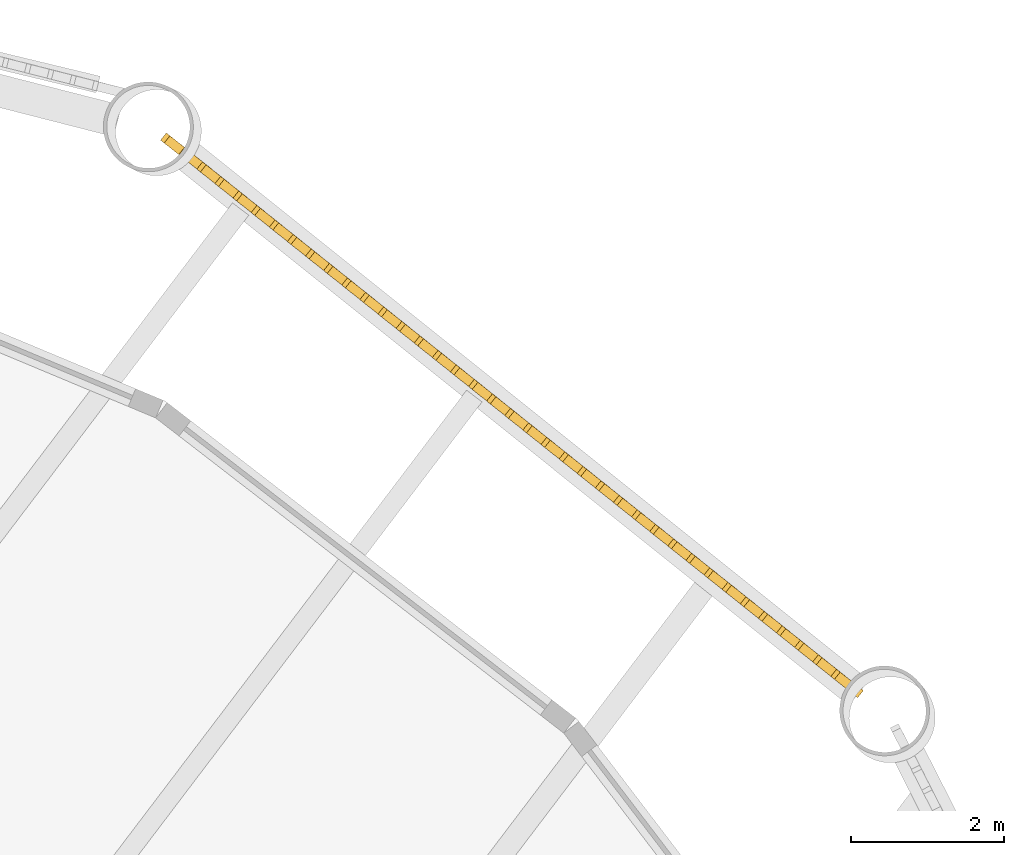
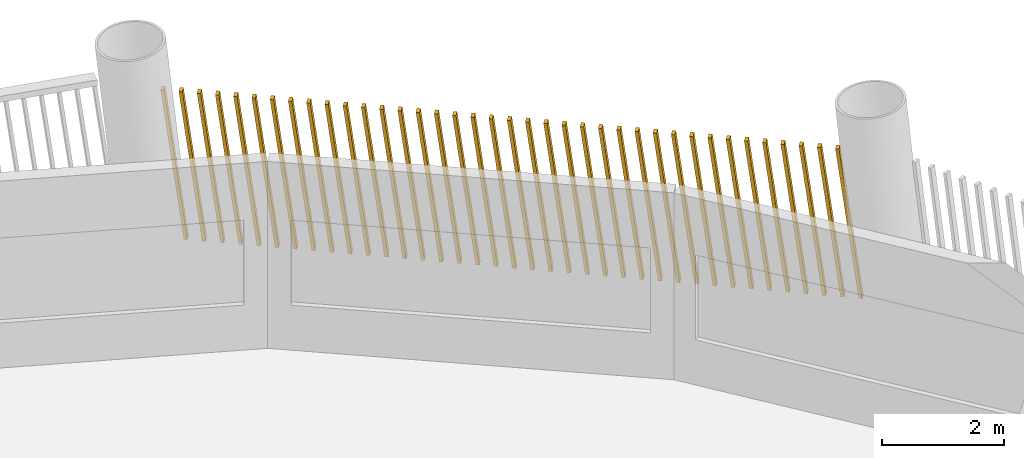
# One storey, part 15 of 16: 1 shading device.
"""IFC4 building model written with IfcOpenShell, lengths in metres."""

from ifc_helpers import new_model, si_unit, direction, frame, frame_2d, origin, place, context, subcontext, project, spatial, rectangle, composite_profile, extrude, material, type_object, element, save


model = new_model("IFC4")

# Units and contexts
model_context = context("Model", 3, precision=1e-05, world=origin(), true_north=direction((0.0, 1.0)))
body_context = subcontext(model_context, "Body", "Model", "MODEL_VIEW")
ifc_project = project(units=[si_unit("LENGTHUNIT", "METRE"), si_unit("AREAUNIT", "SQUARE_METRE"), si_unit("VOLUMEUNIT", "CUBIC_METRE"), si_unit("PLANEANGLEUNIT", "RADIAN"), si_unit("MASSUNIT", "GRAM", prefix="KILO")], contexts=[model_context])

# Site, building, storey
site_placement = place(None, origin())
site = spatial("IfcSite", under=ifc_project, at=site_placement, CompositionType="ELEMENT")
building_placement = place(site_placement, origin())
building = spatial("IfcBuilding", under=site, at=building_placement, Name="Tarsis Ring Headquarters", CompositionType="ELEMENT")
storey_placement = place(building_placement, frame((0.0, 0.0, 120.10009765625)))
storey = spatial("IfcBuildingStorey", under=building, at=storey_placement, Name="L27", CompositionType="ELEMENT", Elevation=120.10009765625)

# Shading device
ifc_material = material(Name="Terracotta baguette", Category="masonry")
shading_device_type = type_object("IfcShadingDeviceType", Name="Terracotta baguette screen", PredefinedType="USERDEFINED", material=ifc_material)
shading_device_placement = place(storey_placement, frame((22.132568359375, 18.6572265625, 0.0), z_axis=(0.0, 0.0, 1.0), x_axis=(-0.780792186652, 0.624785675529, 0.0)))
element("IfcShadingDevice", 1, at=shading_device_placement, inside=storey, type_object=shading_device_type, Name="Baguette screen L27-12", ObjectType="Terracotta baguette screen", PredefinedType="USERDEFINED", context=body_context, shape_type="SweptSolid", body=[
    extrude(composite_profile([rectangle(XDim=0.06005859375, YDim=0.1201171875, at=frame_2d((0.030029296875, 0.0))), rectangle(XDim=0.06005859375, YDim=0.1201171875, at=frame_2d((0.33251953125, 0.0))), rectangle(XDim=0.06005859375, YDim=0.1201171875, at=frame_2d((0.634765625, 0.0))), rectangle(XDim=0.06005859375, YDim=0.1201171875, at=frame_2d((0.937255859375, 0.0))), rectangle(XDim=0.06005859375, YDim=0.1201171875, at=frame_2d((1.239501953125, 0.0))), rectangle(XDim=0.06005859375, YDim=0.1201171875, at=frame_2d((1.5419921875, 0.0))), rectangle(XDim=0.06005859375, YDim=0.1201171875, at=frame_2d((1.844482421875, 0.0))), rectangle(XDim=0.06005859375, YDim=0.1201171875, at=frame_2d((2.146728515625, 0.0))), rectangle(XDim=0.06005859375, YDim=0.1201171875, at=frame_2d((2.44921875, 0.0))), rectangle(XDim=0.06005859375, YDim=0.1201171875, at=frame_2d((2.751708984375, 0.0))), rectangle(XDim=0.06005859375, YDim=0.1201171875, at=frame_2d((3.053955078125, 0.0))), rectangle(XDim=0.06005859375, YDim=0.1201171875, at=frame_2d((3.3564453125, 0.0))), rectangle(XDim=0.06005859375, YDim=0.1201171875, at=frame_2d((3.65869140625, 0.0))), rectangle(XDim=0.06005859375, YDim=0.1201171875, at=frame_2d((3.961181640625, 0.0))), rectangle(XDim=0.06005859375, YDim=0.1201171875, at=frame_2d((4.263671875, 0.0))), rectangle(XDim=0.06005859375, YDim=0.1201171875, at=frame_2d((4.56591796875, 0.0))), rectangle(XDim=0.06005859375, YDim=0.1201171875, at=frame_2d((4.868408203125, 0.0))), rectangle(XDim=0.06005859375, YDim=0.1201171875, at=frame_2d((5.1708984375, 0.0))), rectangle(XDim=0.06005859375, YDim=0.1201171875, at=frame_2d((5.47314453125, 0.0))), rectangle(XDim=0.06005859375, YDim=0.1201171875, at=frame_2d((5.775634765625, 0.0))), rectangle(XDim=0.06005859375, YDim=0.1201171875, at=frame_2d((6.077880859375, 0.0))), rectangle(XDim=0.06005859375, YDim=0.1201171875, at=frame_2d((6.38037109375, 0.0))), rectangle(XDim=0.06005859375, YDim=0.1201171875, at=frame_2d((6.682861328125, 0.0))), rectangle(XDim=0.06005859375, YDim=0.1201171875, at=frame_2d((6.985107421875, 0.0))), rectangle(XDim=0.06005859375, YDim=0.1201171875, at=frame_2d((7.28759765625, 0.0))), rectangle(XDim=0.06005859375, YDim=0.1201171875, at=frame_2d((7.590087890625, 0.0))), rectangle(XDim=0.06005859375, YDim=0.1201171875, at=frame_2d((7.892333984375, 0.0))), rectangle(XDim=0.06005859375, YDim=0.1201171875, at=frame_2d((8.19482421875, 0.0))), rectangle(XDim=0.06005859375, YDim=0.1201171875, at=frame_2d((8.4970703125, 0.0))), rectangle(XDim=0.06005859375, YDim=0.1201171875, at=frame_2d((8.799560546875, 0.0))), rectangle(XDim=0.06005859375, YDim=0.1201171875, at=frame_2d((9.10205078125, 0.0))), rectangle(XDim=0.06005859375, YDim=0.1201171875, at=frame_2d((9.404296875, 0.0))), rectangle(XDim=0.06005859375, YDim=0.1201171875, at=frame_2d((9.706787109375, 0.0))), rectangle(XDim=0.06005859375, YDim=0.1201171875, at=frame_2d((10.00927734375, 0.0))), rectangle(XDim=0.06005859375, YDim=0.1201171875, at=frame_2d((10.3115234375, 0.0))), rectangle(XDim=0.06005859375, YDim=0.1201171875, at=frame_2d((10.614013671875, 0.0))), rectangle(XDim=0.06005859375, YDim=0.1201171875, at=frame_2d((10.916259765625, 0.0))), rectangle(XDim=0.06005859375, YDim=0.1201171875, at=frame_2d((11.21875, 0.0)))]), origin(), (0.129820698359, 0.000884489846, 0.991537091568), 2.9775390625),
])

save(model, "model.ifc")
